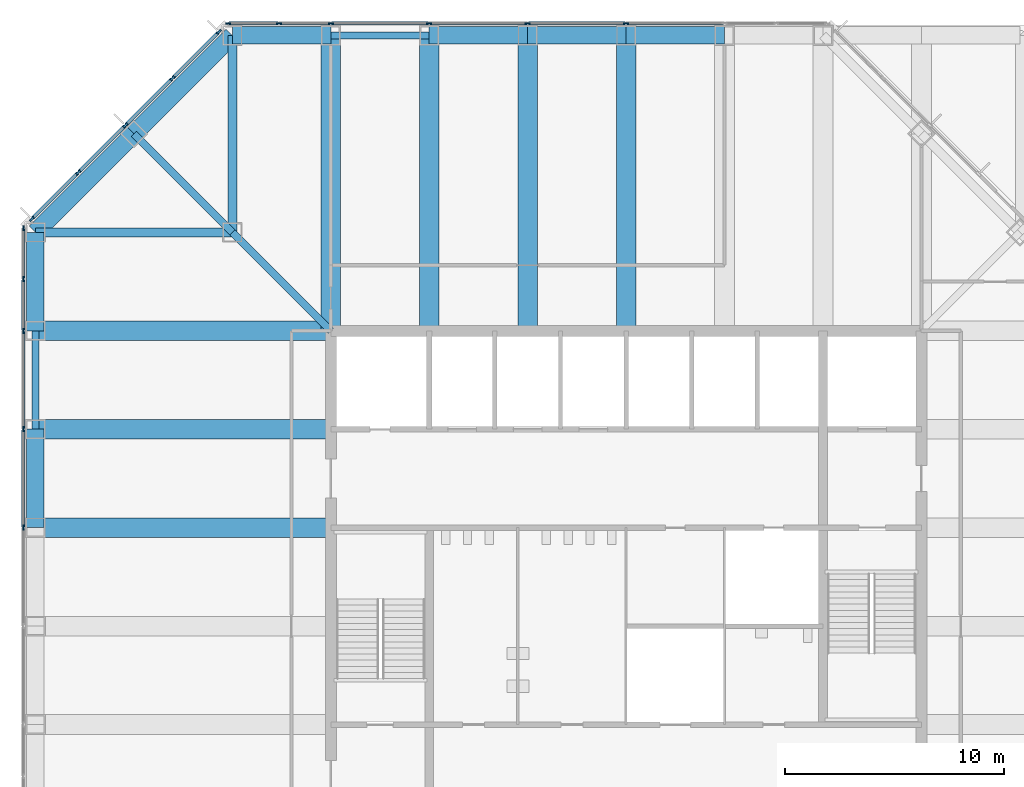
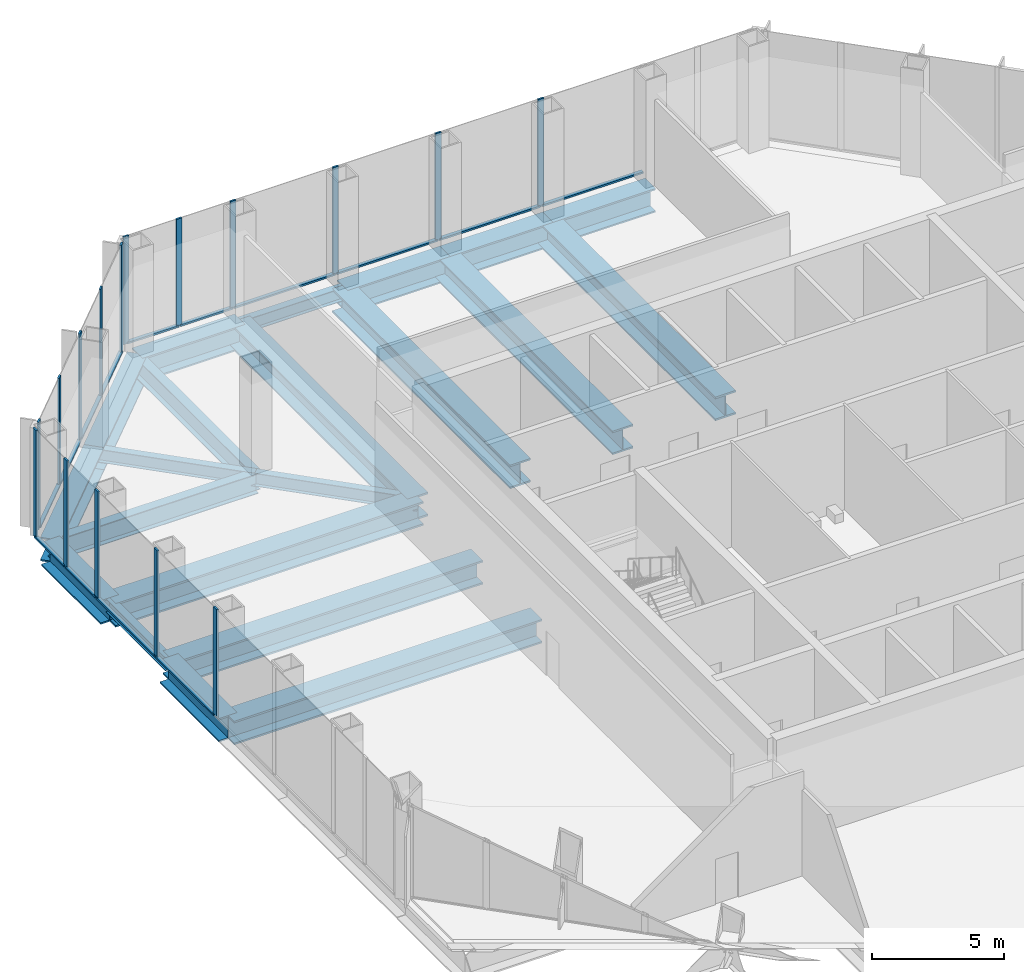
# One storey, part 4 of 12: 30 members, 21 beams, 3 elements without a shape of their own.
"""IFC4 building model written with IfcOpenShell, lengths in metres."""

from ifc_helpers import new_model, si_unit, direction, frame, origin, origin_2d, place, context, subcontext, project, spatial, rectangle, i_section, extrude, material, material_profile, profile_set, type_object, element, aggregate, save


model = new_model("IFC4")

# Units and contexts
model_context = context("Model", 3, precision=1e-05, world=origin(), true_north=direction((0.0, 1.0)))
body_context = subcontext(model_context, "Body", "Model", "MODEL_VIEW")
ifc_project = project(units=[si_unit("LENGTHUNIT", "METRE"), si_unit("AREAUNIT", "SQUARE_METRE"), si_unit("VOLUMEUNIT", "CUBIC_METRE"), si_unit("PLANEANGLEUNIT", "RADIAN"), si_unit("MASSUNIT", "GRAM", prefix="KILO")], contexts=[model_context])

# Site, building, storey
site_placement = place(None, origin())
site = spatial("IfcSite", under=ifc_project, at=site_placement, CompositionType="ELEMENT")
building_placement = place(site_placement, origin())
building = spatial("IfcBuilding", under=site, at=building_placement, Name="Corais Broadcast Tower", CompositionType="ELEMENT")
storey_placement = place(building_placement, frame((0.0, 0.0, 110.60009765625)))
storey = spatial("IfcBuildingStorey", under=building, at=storey_placement, Name="L24", CompositionType="ELEMENT", Elevation=110.60009765625)

# Beams
ifc_material_1 = material(Name="Steel ASTM A572 Grade 50", Category="steel")
ifc_material_profile_1 = material_profile(ifc_material_1, i_section(OverallWidth=0.323974609375, OverallDepth=0.611083984375, WebThickness=0.0126953125, FlangeThickness=0.01904296875, at=origin_2d()), Name="W610x155")
ifc_profile_set_1 = profile_set([ifc_material_profile_1], Name="Steel ASTM A572 Grade 50")
beam_type_1 = type_object("IfcBeamType", Name="Chamfer tie W610x155", PredefinedType="BEAM", material=ifc_profile_set_1)
beam_1_placement = place(storey_placement, frame((4.5, 49.5, -0.485595703125), z_axis=(0.707106781187, -0.707106781187, 0.0), x_axis=(0.707106781187, 0.707106781187, 0.0)))
element("IfcBeam", 1, at=beam_1_placement, inside=storey, type_object=beam_type_1, Name="B5 M/4 to L/5", PredefinedType="BEAM", context=body_context, shape_type="SweptSolid", body=[
    extrude(i_section(OverallWidth=0.323974609375, OverallDepth=0.611083984375, WebThickness=0.0126953125, FlangeThickness=0.01904296875, at=origin_2d()), origin(), (0.0, 0.0, 1.0), 6.364013671875),
])
ifc_material_2 = material(Name="Steel ASTM A572 Grade 50", Category="steel")
ifc_material_profile_2 = material_profile(ifc_material_2, i_section(OverallWidth=0.323974609375, OverallDepth=0.611083984375, WebThickness=0.0126953125, FlangeThickness=0.01904296875, at=origin_2d()), Name="W610x155")
ifc_profile_set_2 = profile_set([ifc_material_profile_2], Name="Steel ASTM A572 Grade 50")
beam_type_2 = type_object("IfcBeamType", Name="Corner diagonal W610x155", PredefinedType="BEAM", material=ifc_profile_set_2)
beam_2_placement = place(storey_placement, frame((9.0, 45.0, -0.485595703125), z_axis=(0.707106781187, -0.707106781187, 0.0), x_axis=(0.707106781187, 0.707106781187, 0.0)))
element("IfcBeam", 2, at=beam_2_placement, inside=storey, type_object=beam_type_2, Name="B6 L/5 to K/6", PredefinedType="BEAM", context=body_context, shape_type="SweptSolid", body=[
    extrude(i_section(OverallWidth=0.323974609375, OverallDepth=0.611083984375, WebThickness=0.0126953125, FlangeThickness=0.01904296875, at=origin_2d()), origin(), (0.0, 0.0, 1.0), 6.364013671875),
])

# Curtain wall, members
ifc_material_3 = material(Name="Aluminium and glass", Category="aluminium")
curtain_wall_type = type_object("IfcCurtainWallType", Name="Sky lobby curtain wall CW4", PredefinedType="NOTDEFINED", material=ifc_material_3)
curtain_wall_1_placement = place(storey_placement, origin())
curtain_wall_1 = element("IfcCurtainWall", 3, at=curtain_wall_1_placement, inside=storey, type_object=curtain_wall_type, Name="CW4 curtain wall L24 2", PredefinedType="NOTDEFINED")
ifc_material_4 = material(Name="Aluminium 6063-T6", Category="aluminium")
ifc_material_profile_3 = material_profile(ifc_material_4, rectangle(XDim=0.080078125, YDim=0.25, at=origin_2d()), Name="Mullion CW4 80x250")
ifc_profile_set_3 = profile_set([ifc_material_profile_3], Name="Aluminium 6063-T6")
member_type_1 = type_object("IfcMemberType", Name="Mullion CW4 80x250", PredefinedType="MULLION", material=ifc_profile_set_3)
member_1_placement = place(storey_placement, frame((-0.550048828125, 31.5, 0.0), z_axis=(0.0, 0.0, 1.0), x_axis=(-1.0, 0.0, 0.0)))
member_1 = element("IfcMember", 4, at=member_1_placement, type_object=member_type_1, Name="CW4 mullion 5", PredefinedType="MULLION", context=body_context, shape_type="SweptSolid", body=[
    extrude(rectangle(XDim=0.080078125, YDim=0.25, at=origin_2d()), origin(), (0.0, 0.0, 1.0), 5.0),
])
member_2_placement = place(storey_placement, frame((-0.550048828125, 36.0, 0.0), z_axis=(0.0, 0.0, 1.0), x_axis=(-1.0, 0.0, 0.0)))
member_2 = element("IfcMember", 5, at=member_2_placement, type_object=member_type_1, Name="CW4 mullion 6", PredefinedType="MULLION", context=body_context, shape_type="SweptSolid", body=[
    extrude(rectangle(XDim=0.080078125, YDim=0.25, at=origin_2d()), origin(), (0.0, 0.0, 1.0), 5.0),
])
member_3_placement = place(storey_placement, frame((-0.550048828125, 40.5, 0.0), z_axis=(0.0, 0.0, 1.0), x_axis=(-1.0, 0.0, 0.0)))
member_3 = element("IfcMember", 6, at=member_3_placement, type_object=member_type_1, Name="CW4 mullion 7", PredefinedType="MULLION", context=body_context, shape_type="SweptSolid", body=[
    extrude(rectangle(XDim=0.080078125, YDim=0.25, at=origin_2d()), origin(), (0.0, 0.0, 1.0), 5.0),
])
member_4_placement = place(storey_placement, frame((-0.550048828125, 42.864013671875, 0.0), z_axis=(0.0, 0.0, 1.0), x_axis=(-1.0, 0.0, 0.0)))
member_4 = element("IfcMember", 7, at=member_4_placement, type_object=member_type_1, Name="CW4 mullion 8", PredefinedType="MULLION", context=body_context, shape_type="SweptSolid", body=[
    extrude(rectangle(XDim=0.080078125, YDim=0.25, at=origin_2d()), origin(), (0.0, 0.0, 1.0), 5.0),
])
member_5_placement = place(storey_placement, frame((-0.550048828125, 45.187744140625, 0.0), z_axis=(0.0, 0.0, 1.0), x_axis=(-1.0, 0.0, 0.0)))
member_5 = element("IfcMember", 8, at=member_5_placement, type_object=member_type_1, Name="CW4 mullion 9", PredefinedType="MULLION", context=body_context, shape_type="SweptSolid", body=[
    extrude(rectangle(XDim=0.080078125, YDim=0.25, at=origin_2d()), origin(), (0.0, 0.0, 1.0), 5.0),
])

curtain_wall_2_placement = place(storey_placement, origin())
curtain_wall_2 = element("IfcCurtainWall", 9, at=curtain_wall_2_placement, inside=storey, type_object=curtain_wall_type, Name="CW4 curtain wall L24 3", PredefinedType="NOTDEFINED")
member_6_placement = place(storey_placement, frame((-0.168212890625, 45.609619140625, 0.0), z_axis=(0.0, 0.0, 1.0), x_axis=(-0.707106781187, 0.707106781187, 0.0)))
member_6 = element("IfcMember", 10, at=member_6_placement, type_object=member_type_1, Name="CW4 mullion 1", PredefinedType="MULLION", context=body_context, shape_type="SweptSolid", body=[
    extrude(rectangle(XDim=0.080078125, YDim=0.25, at=origin_2d()), origin(), (0.0, 0.0, 1.0), 5.0),
])
member_7_placement = place(storey_placement, frame((1.957275390625, 47.735107421875, 0.0), z_axis=(0.0, 0.0, 1.0), x_axis=(-0.707106781187, 0.707106781187, 0.0)))
member_7 = element("IfcMember", 11, at=member_7_placement, type_object=member_type_1, Name="CW4 mullion 2", PredefinedType="MULLION", context=body_context, shape_type="SweptSolid", body=[
    extrude(rectangle(XDim=0.080078125, YDim=0.25, at=origin_2d()), origin(), (0.0, 0.0, 1.0), 5.0),
])
member_8_placement = place(storey_placement, frame((4.111083984375, 49.888916015625, 0.0), z_axis=(0.0, 0.0, 1.0), x_axis=(-0.707106781187, 0.707106781187, 0.0)))
member_8 = element("IfcMember", 12, at=member_8_placement, type_object=member_type_1, Name="CW4 mullion 3", PredefinedType="MULLION", context=body_context, shape_type="SweptSolid", body=[
    extrude(rectangle(XDim=0.080078125, YDim=0.25, at=origin_2d()), origin(), (0.0, 0.0, 1.0), 5.0),
])
member_9_placement = place(storey_placement, frame((6.264892578125, 52.042724609375, 0.0), z_axis=(0.0, 0.0, 1.0), x_axis=(-0.707106781187, 0.707106781187, 0.0)))
member_9 = element("IfcMember", 13, at=member_9_placement, type_object=member_type_1, Name="CW4 mullion 4", PredefinedType="MULLION", context=body_context, shape_type="SweptSolid", body=[
    extrude(rectangle(XDim=0.080078125, YDim=0.25, at=origin_2d()), origin(), (0.0, 0.0, 1.0), 5.0),
])
member_10_placement = place(storey_placement, frame((8.390380859375, 54.168212890625, 0.0), z_axis=(0.0, 0.0, 1.0), x_axis=(-0.707106781187, 0.707106781187, 0.0)))
member_10 = element("IfcMember", 14, at=member_10_placement, type_object=member_type_1, Name="CW4 mullion 5", PredefinedType="MULLION", context=body_context, shape_type="SweptSolid", body=[
    extrude(rectangle(XDim=0.080078125, YDim=0.25, at=origin_2d()), origin(), (0.0, 0.0, 1.0), 5.0),
])

curtain_wall_3_placement = place(storey_placement, origin())
curtain_wall_3 = element("IfcCurtainWall", 15, at=curtain_wall_3_placement, inside=storey, type_object=curtain_wall_type, Name="CW4 curtain wall L24 4", PredefinedType="NOTDEFINED")
member_11_placement = place(storey_placement, frame((8.812255859375, 54.550048828125, 0.0), z_axis=(0.0, 0.0, 1.0), x_axis=(0.0, 1.0, 0.0)))
member_11 = element("IfcMember", 16, at=member_11_placement, type_object=member_type_1, Name="CW4 mullion 1", PredefinedType="MULLION", context=body_context, shape_type="SweptSolid", body=[
    extrude(rectangle(XDim=0.080078125, YDim=0.25, at=origin_2d()), origin(), (0.0, 0.0, 1.0), 5.0),
])
member_12_placement = place(storey_placement, frame((11.135986328125, 54.550048828125, 0.0), z_axis=(0.0, 0.0, 1.0), x_axis=(0.0, 1.0, 0.0)))
member_12 = element("IfcMember", 17, at=member_12_placement, type_object=member_type_1, Name="CW4 mullion 2", PredefinedType="MULLION", context=body_context, shape_type="SweptSolid", body=[
    extrude(rectangle(XDim=0.080078125, YDim=0.25, at=origin_2d()), origin(), (0.0, 0.0, 1.0), 5.0),
])
member_13_placement = place(storey_placement, frame((13.5, 54.550048828125, 0.0), z_axis=(0.0, 0.0, 1.0), x_axis=(0.0, 1.0, 0.0)))
member_13 = element("IfcMember", 18, at=member_13_placement, type_object=member_type_1, Name="CW4 mullion 3", PredefinedType="MULLION", context=body_context, shape_type="SweptSolid", body=[
    extrude(rectangle(XDim=0.080078125, YDim=0.25, at=origin_2d()), origin(), (0.0, 0.0, 1.0), 5.0),
])
member_14_placement = place(storey_placement, frame((18.0, 54.550048828125, 0.0), z_axis=(0.0, 0.0, 1.0), x_axis=(0.0, 1.0, 0.0)))
member_14 = element("IfcMember", 19, at=member_14_placement, type_object=member_type_1, Name="CW4 mullion 4", PredefinedType="MULLION", context=body_context, shape_type="SweptSolid", body=[
    extrude(rectangle(XDim=0.080078125, YDim=0.25, at=origin_2d()), origin(), (0.0, 0.0, 1.0), 5.0),
])
member_15_placement = place(storey_placement, frame((22.5, 54.550048828125, 0.0), z_axis=(0.0, 0.0, 1.0), x_axis=(0.0, 1.0, 0.0)))
member_15 = element("IfcMember", 20, at=member_15_placement, type_object=member_type_1, Name="CW4 mullion 5", PredefinedType="MULLION", context=body_context, shape_type="SweptSolid", body=[
    extrude(rectangle(XDim=0.080078125, YDim=0.25, at=origin_2d()), origin(), (0.0, 0.0, 1.0), 5.0),
])
member_16_placement = place(storey_placement, frame((27.0, 54.550048828125, 0.0), z_axis=(0.0, 0.0, 1.0), x_axis=(0.0, 1.0, 0.0)))
member_16 = element("IfcMember", 21, at=member_16_placement, type_object=member_type_1, Name="CW4 mullion 6", PredefinedType="MULLION", context=body_context, shape_type="SweptSolid", body=[
    extrude(rectangle(XDim=0.080078125, YDim=0.25, at=origin_2d()), origin(), (0.0, 0.0, 1.0), 5.0),
])

# Beams
ifc_material_5 = material(Name="Steel ASTM A572 Grade 50", Category="steel")
ifc_material_profile_4 = material_profile(ifc_material_5, i_section(OverallWidth=0.323974609375, OverallDepth=0.611083984375, WebThickness=0.0126953125, FlangeThickness=0.01904296875, at=origin_2d()), Name="W610x155")
ifc_profile_set_4 = profile_set([ifc_material_profile_4], Name="Steel ASTM A572 Grade 50")
beam_type_3 = type_object("IfcBeamType", Name="Pinned spandrel W610x155", PredefinedType="BEAM", material=ifc_profile_set_4)
for number, where, z_axis, x_axis, name in (
    (22, (0.0, 40.5, -0.485595703125), (0.0, -1.0, 0.0), (1.0, 0.0, 0.0), "SB6 K/3 to J/3"),
    (23, (18.0, 54.0, -0.485595703125), (-1.0, 0.0, 0.0), (0.0, -1.0, 0.0), "SB6 N/7 to N/6"),
):
    element("IfcBeam", number, at=place(storey_placement, frame(where, z_axis=z_axis, x_axis=x_axis)), inside=storey, type_object=beam_type_3, Name=name, PredefinedType="BEAM", context=body_context, shape_type="SweptSolid", body=[
        extrude(i_section(OverallWidth=0.323974609375, OverallDepth=0.611083984375, WebThickness=0.0126953125, FlangeThickness=0.01904296875, at=origin_2d()), origin(), (0.0, 0.0, 1.0), 4.5),
    ])
ifc_material_6 = material(Name="Steel ASTM A572 Grade 50", Category="steel")
ifc_material_profile_5 = material_profile(ifc_material_6, i_section(OverallWidth=0.408935546875, OverallDepth=0.927001953125, WebThickness=0.0166015625, FlangeThickness=0.030029296875, at=origin_2d()), Name="W920x289")
ifc_profile_set_5 = profile_set([ifc_material_profile_5], Name="Steel ASTM A572 Grade 50")
beam_type_4 = type_object("IfcBeamType", Name="Transfer corner girder W920x289", PredefinedType="BEAM", material=ifc_profile_set_5)
for number, where, z_axis, x_axis, name in (
    (24, (0.0, 45.0, -0.6435546875), (1.0, 0.0, 0.0), (0.0, 1.0, 0.0), "B14 L/3 to L/5"),
    (25, (9.0, 54.0, -0.6435546875), (0.0, -1.0, 0.0), (1.0, 0.0, 0.0), "B14 N/5 to L/5"),
):
    element("IfcBeam", number, at=place(storey_placement, frame(where, z_axis=z_axis, x_axis=x_axis)), inside=storey, type_object=beam_type_4, Name=name, PredefinedType="BEAM", context=body_context, shape_type="SweptSolid", body=[
        extrude(i_section(OverallWidth=0.408935546875, OverallDepth=0.927001953125, WebThickness=0.0166015625, FlangeThickness=0.030029296875, at=origin_2d()), origin(), (0.0, 0.0, 1.0), 9.0),
    ])
ifc_material_7 = material(Name="Steel ASTM A572 Grade 50", Category="steel")
ifc_material_profile_6 = material_profile(ifc_material_7, i_section(OverallWidth=0.89990234375, OverallDepth=1.10009765625, WebThickness=0.030029296875, FlangeThickness=0.080078125, at=origin_2d()), Name="PG1100x1352")
ifc_profile_set_6 = profile_set([ifc_material_profile_6], Name="Steel ASTM A572 Grade 50")
beam_type_5 = type_object("IfcBeamType", Name="Transfer floor beam PG1100x1352", PredefinedType="BEAM", material=ifc_profile_set_6)
for number, where, z_axis, x_axis, name in (
    (26, (0.0, 31.5, -0.72998046875), (1.0, 0.0, 0.0), (0.0, 1.0, 0.0), "B10 H/3 to H/6"),
    (27, (0.0, 36.0, -0.72998046875), (1.0, 0.0, 0.0), (0.0, 1.0, 0.0), "B10 J/3 to J/6"),
    (28, (0.0, 40.5, -0.72998046875), (1.0, 0.0, 0.0), (0.0, 1.0, 0.0), "B10 K/3 to K/6"),
    (29, (13.5, 54.0, -0.72998046875), (0.0, -1.0, 0.0), (1.0, 0.0, 0.0), "B10 N/6 to K/6"),
    (30, (18.0, 54.0, -0.72998046875), (0.0, -1.0, 0.0), (1.0, 0.0, 0.0), "B10 N/7 to K/7"),
    (31, (22.5, 54.0, -0.72998046875), (0.0, -1.0, 0.0), (1.0, 0.0, 0.0), "B10 N/8 to K/8"),
    (32, (27.0, 54.0, -0.72998046875), (0.0, -1.0, 0.0), (1.0, 0.0, 0.0), "B10 N/9 to K/9"),
):
    element("IfcBeam", number, at=place(storey_placement, frame(where, z_axis=z_axis, x_axis=x_axis)), inside=storey, type_object=beam_type_5, Name=name, PredefinedType="BEAM", context=body_context, shape_type="SweptSolid", body=[
        extrude(i_section(OverallWidth=0.89990234375, OverallDepth=1.10009765625, WebThickness=0.030029296875, FlangeThickness=0.080078125, at=origin_2d()), origin(), (0.0, 0.0, 1.0), 13.5),
    ])
ifc_material_8 = material(Name="Steel ASTM A572 Grade 50", Category="steel")
ifc_material_profile_7 = material_profile(ifc_material_8, i_section(OverallWidth=0.800048828125, OverallDepth=1.10009765625, WebThickness=0.030029296875, FlangeThickness=0.070068359375, at=origin_2d()), Name="PG1100x1105")
ifc_profile_set_7 = profile_set([ifc_material_profile_7], Name="Steel ASTM A572 Grade 50")
beam_type_6 = type_object("IfcBeamType", Name="Transfer spandrel PG1100x1105", PredefinedType="BEAM", material=ifc_profile_set_7)
for number, where, z_axis, x_axis, name in (
    (33, (0.0, 36.0, -0.72998046875), (0.0, -1.0, 0.0), (1.0, 0.0, 0.0), "SB8 J/3 to H/3"),
    (34, (0.0, 45.0, -0.72998046875), (0.0, -1.0, 0.0), (1.0, 0.0, 0.0), "SB8 L/3 to K/3"),
    (35, (13.5, 54.0, -0.72998046875), (-1.0, 0.0, 0.0), (0.0, -1.0, 0.0), "SB8 N/6 to N/5"),
    (36, (22.5, 54.0, -0.72998046875), (-1.0, 0.0, 0.0), (0.0, -1.0, 0.0), "SB8 N/8 to N/7"),
    (37, (27.0, 54.0, -0.72998046875), (-1.0, 0.0, 0.0), (0.0, -1.0, 0.0), "SB8 N/9 to N/8"),
    (38, (31.5, 54.0, -0.72998046875), (-1.0, 0.0, 0.0), (0.0, -1.0, 0.0), "SB8 N/10 to N/9"),
):
    element("IfcBeam", number, at=place(storey_placement, frame(where, z_axis=z_axis, x_axis=x_axis)), inside=storey, type_object=beam_type_6, Name=name, PredefinedType="BEAM", context=body_context, shape_type="SweptSolid", body=[
        extrude(i_section(OverallWidth=0.800048828125, OverallDepth=1.10009765625, WebThickness=0.030029296875, FlangeThickness=0.070068359375, at=origin_2d()), origin(), (0.0, 0.0, 1.0), 4.5),
    ])
for number, where, z_axis, x_axis, name in (
    (39, (4.5, 49.5, -0.72998046875), (-0.707106781187, -0.707106781187, 0.0), (0.707106781187, -0.707106781187, 0.0), "SB8 M/4 to L/3"),
    (40, (9.0, 54.0, -0.72998046875), (-0.707106781187, -0.707106781187, 0.0), (0.707106781187, -0.707106781187, 0.0), "SB8 N/5 to M/4"),
):
    element("IfcBeam", number, at=place(storey_placement, frame(where, z_axis=z_axis, x_axis=x_axis)), inside=storey, type_object=beam_type_6, Name=name, PredefinedType="BEAM", context=body_context, shape_type="SweptSolid", body=[
        extrude(i_section(OverallWidth=0.800048828125, OverallDepth=1.10009765625, WebThickness=0.030029296875, FlangeThickness=0.070068359375, at=origin_2d()), origin(), (0.0, 0.0, 1.0), 6.364013671875),
    ])

# Member
ifc_material_9 = material(Name="Aluminium 6063-T6", Category="aluminium")
ifc_material_profile_8 = material_profile(ifc_material_9, rectangle(XDim=0.159912109375, YDim=0.080078125, at=origin_2d()), Name="Transom CW4 80x160")
ifc_profile_set_8 = profile_set([ifc_material_profile_8], Name="Aluminium 6063-T6")
member_type_2 = type_object("IfcMemberType", Name="Transom CW4 80x160", PredefinedType="USERDEFINED", material=ifc_profile_set_8)
member_17_placement = place(storey_placement, frame((-0.550048828125, 31.5400390625, 0.039794921875), z_axis=(0.0, 1.0, 0.0), x_axis=(-1.0, 0.0, 0.0)))
member_17 = element("IfcMember", 41, at=member_17_placement, type_object=member_type_2, Name="CW4 transom 5.1", ObjectType="TRANSOM", PredefinedType="USERDEFINED", context=body_context, shape_type="SweptSolid", body=[
    extrude(rectangle(XDim=0.159912109375, YDim=0.080078125, at=origin_2d()), origin(), (0.0, 0.0, 1.0), 4.419921875),
])

member_18_placement = place(storey_placement, frame((-0.550048828125, 36.0400390625, 0.039794921875), z_axis=(0.0, 1.0, 0.0), x_axis=(-1.0, 0.0, 0.0)))
member_18 = element("IfcMember", 42, at=member_18_placement, type_object=member_type_2, Name="CW4 transom 6.1", ObjectType="TRANSOM", PredefinedType="USERDEFINED", context=body_context, shape_type="SweptSolid", body=[
    extrude(rectangle(XDim=0.159912109375, YDim=0.080078125, at=origin_2d()), origin(), (0.0, 0.0, 1.0), 4.419921875),
])

member_19_placement = place(storey_placement, frame((-0.550048828125, 40.5400390625, 0.039794921875), z_axis=(0.0, 1.0, 0.0), x_axis=(-1.0, 0.0, 0.0)))
member_19 = element("IfcMember", 43, at=member_19_placement, type_object=member_type_2, Name="CW4 transom 7.1", ObjectType="TRANSOM", PredefinedType="USERDEFINED", context=body_context, shape_type="SweptSolid", body=[
    extrude(rectangle(XDim=0.159912109375, YDim=0.080078125, at=origin_2d()), origin(), (0.0, 0.0, 1.0), 2.283935546875),
])

member_20_placement = place(storey_placement, frame((-0.550048828125, 42.90380859375, 0.039794921875), z_axis=(0.0, 1.0, 0.0), x_axis=(-1.0, 0.0, 0.0)))
member_20 = element("IfcMember", 44, at=member_20_placement, type_object=member_type_2, Name="CW4 transom 8.1", ObjectType="TRANSOM", PredefinedType="USERDEFINED", context=body_context, shape_type="SweptSolid", body=[
    extrude(rectangle(XDim=0.159912109375, YDim=0.080078125, at=origin_2d()), origin(), (0.0, 0.0, 1.0), 2.243896484375),
])

aggregate(curtain_wall_1, [member_1, member_2, member_3, member_4, member_5, member_17, member_18, member_19, member_20])

member_21_placement = place(storey_placement, frame((-0.139892578125, 45.637939453125, 0.039794921875), z_axis=(0.707106781187, 0.707106781187, 0.0), x_axis=(-0.707106781187, 0.707106781187, 0.0)))
member_21 = element("IfcMember", 45, at=member_21_placement, type_object=member_type_2, Name="CW4 transom 1.1", ObjectType="TRANSOM", PredefinedType="USERDEFINED", context=body_context, shape_type="SweptSolid", body=[
    extrude(rectangle(XDim=0.159912109375, YDim=0.080078125, at=origin_2d()), origin(), (0.0, 0.0, 1.0), 2.92578125),
])

member_22_placement = place(storey_placement, frame((1.985595703125, 47.763427734375, 0.039794921875), z_axis=(0.707106781187, 0.707106781187, 0.0), x_axis=(-0.707106781187, 0.707106781187, 0.0)))
member_22 = element("IfcMember", 46, at=member_22_placement, type_object=member_type_2, Name="CW4 transom 2.1", ObjectType="TRANSOM", PredefinedType="USERDEFINED", context=body_context, shape_type="SweptSolid", body=[
    extrude(rectangle(XDim=0.159912109375, YDim=0.080078125, at=origin_2d()), origin(), (0.0, 0.0, 1.0), 2.9658203125),
])

member_23_placement = place(storey_placement, frame((4.139404296875, 49.917236328125, 0.039794921875), z_axis=(0.707106781187, 0.707106781187, 0.0), x_axis=(-0.707106781187, 0.707106781187, 0.0)))
member_23 = element("IfcMember", 47, at=member_23_placement, type_object=member_type_2, Name="CW4 transom 3.1", ObjectType="TRANSOM", PredefinedType="USERDEFINED", context=body_context, shape_type="SweptSolid", body=[
    extrude(rectangle(XDim=0.159912109375, YDim=0.080078125, at=origin_2d()), origin(), (0.0, 0.0, 1.0), 2.9658203125),
])

member_24_placement = place(storey_placement, frame((6.293212890625, 52.071044921875, 0.039794921875), z_axis=(0.707106781187, 0.707106781187, 0.0), x_axis=(-0.707106781187, 0.707106781187, 0.0)))
member_24 = element("IfcMember", 48, at=member_24_placement, type_object=member_type_2, Name="CW4 transom 4.1", ObjectType="TRANSOM", PredefinedType="USERDEFINED", context=body_context, shape_type="SweptSolid", body=[
    extrude(rectangle(XDim=0.159912109375, YDim=0.080078125, at=origin_2d()), origin(), (0.0, 0.0, 1.0), 2.92578125),
])

aggregate(curtain_wall_2, [member_6, member_7, member_8, member_9, member_10, member_21, member_22, member_23, member_24])

member_25_placement = place(storey_placement, frame((8.852294921875, 54.550048828125, 0.039794921875), z_axis=(1.0, 0.0, 0.0), x_axis=(0.0, 1.0, 0.0)))
member_25 = element("IfcMember", 49, at=member_25_placement, type_object=member_type_2, Name="CW4 transom 1.1", ObjectType="TRANSOM", PredefinedType="USERDEFINED", context=body_context, shape_type="SweptSolid", body=[
    extrude(rectangle(XDim=0.159912109375, YDim=0.080078125, at=origin_2d()), origin(), (0.0, 0.0, 1.0), 2.243896484375),
])

member_26_placement = place(storey_placement, frame((11.176025390625, 54.550048828125, 0.039794921875), z_axis=(1.0, 0.0, 0.0), x_axis=(0.0, 1.0, 0.0)))
member_26 = element("IfcMember", 50, at=member_26_placement, type_object=member_type_2, Name="CW4 transom 2.1", ObjectType="TRANSOM", PredefinedType="USERDEFINED", context=body_context, shape_type="SweptSolid", body=[
    extrude(rectangle(XDim=0.159912109375, YDim=0.080078125, at=origin_2d()), origin(), (0.0, 0.0, 1.0), 2.283935546875),
])

member_27_placement = place(storey_placement, frame((13.5400390625, 54.550048828125, 0.039794921875), z_axis=(1.0, 0.0, 0.0), x_axis=(0.0, 1.0, 0.0)))
member_27 = element("IfcMember", 51, at=member_27_placement, type_object=member_type_2, Name="CW4 transom 3.1", ObjectType="TRANSOM", PredefinedType="USERDEFINED", context=body_context, shape_type="SweptSolid", body=[
    extrude(rectangle(XDim=0.159912109375, YDim=0.080078125, at=origin_2d()), origin(), (0.0, 0.0, 1.0), 4.419921875),
])

member_28_placement = place(storey_placement, frame((18.0400390625, 54.550048828125, 0.039794921875), z_axis=(1.0, 0.0, 0.0), x_axis=(0.0, 1.0, 0.0)))
member_28 = element("IfcMember", 52, at=member_28_placement, type_object=member_type_2, Name="CW4 transom 4.1", ObjectType="TRANSOM", PredefinedType="USERDEFINED", context=body_context, shape_type="SweptSolid", body=[
    extrude(rectangle(XDim=0.159912109375, YDim=0.080078125, at=origin_2d()), origin(), (0.0, 0.0, 1.0), 4.419921875),
])

member_29_placement = place(storey_placement, frame((22.5400390625, 54.550048828125, 0.039794921875), z_axis=(1.0, 0.0, 0.0), x_axis=(0.0, 1.0, 0.0)))
member_29 = element("IfcMember", 53, at=member_29_placement, type_object=member_type_2, Name="CW4 transom 5.1", ObjectType="TRANSOM", PredefinedType="USERDEFINED", context=body_context, shape_type="SweptSolid", body=[
    extrude(rectangle(XDim=0.159912109375, YDim=0.080078125, at=origin_2d()), origin(), (0.0, 0.0, 1.0), 4.419921875),
])

member_30_placement = place(storey_placement, frame((27.0400390625, 54.550048828125, 0.039794921875), z_axis=(1.0, 0.0, 0.0), x_axis=(0.0, 1.0, 0.0)))
member_30 = element("IfcMember", 54, at=member_30_placement, type_object=member_type_2, Name="CW4 transom 6.1", ObjectType="TRANSOM", PredefinedType="USERDEFINED", context=body_context, shape_type="SweptSolid", body=[
    extrude(rectangle(XDim=0.159912109375, YDim=0.080078125, at=origin_2d()), origin(), (0.0, 0.0, 1.0), 4.419921875),
])

aggregate(curtain_wall_3, [member_11, member_12, member_13, member_14, member_15, member_16, member_25, member_26, member_27, member_28, member_29, member_30])

save(model, "model.ifc")
